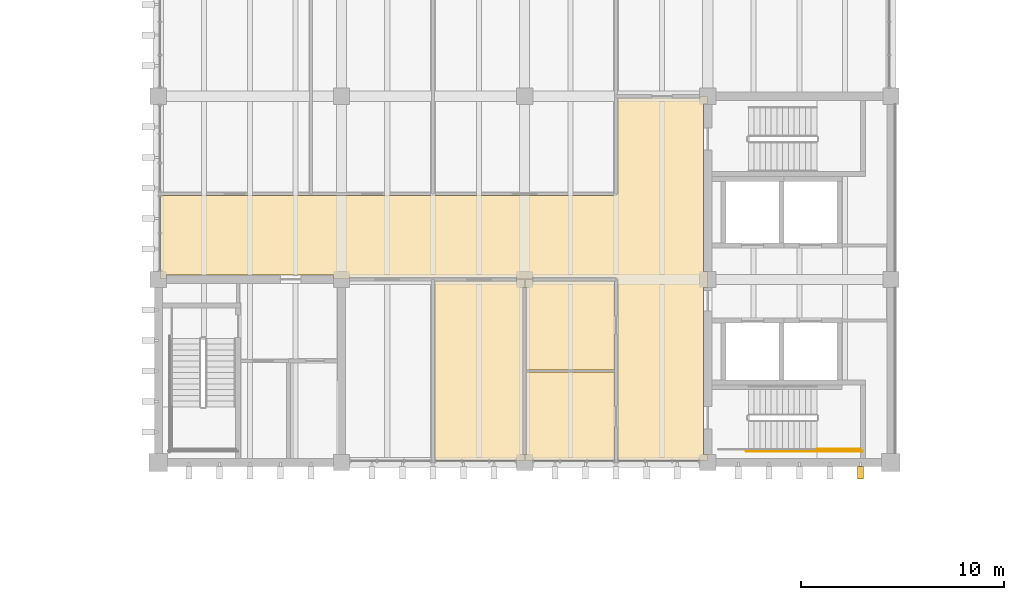
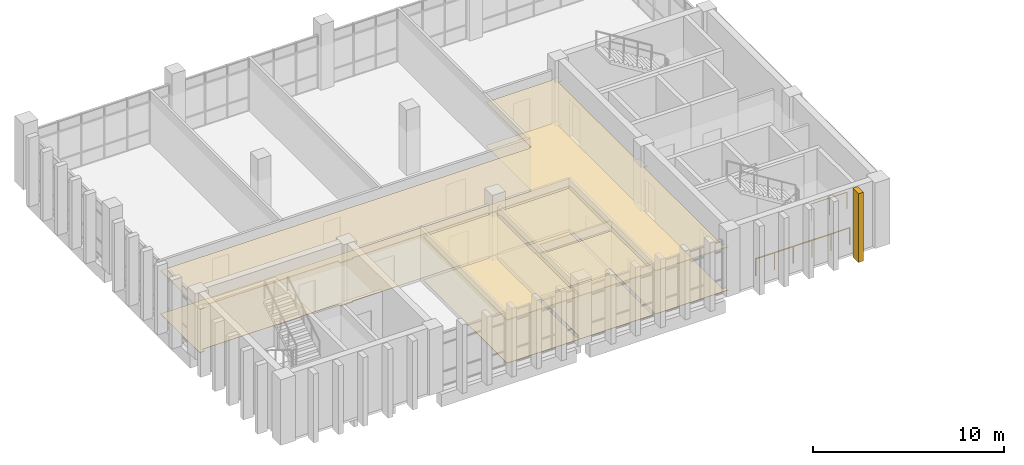
# One storey, part 27 of 29: 8 coverings, 2 railings, 1 shading device.
"""IFC4 building model written with IfcOpenShell, lengths in metres."""

from ifc_helpers import new_model, si_unit, direction, frame, origin, origin_2d, place, context, subcontext, project, spatial, polyline, circle, outline, extrude, source, transform, mapped, material, layer, layer_set, type_object, element, save


model = new_model("IFC4")

# Units and contexts
model_context = context("Model", 3, precision=1e-05, world=origin(), true_north=direction((0.0, 1.0)))
body_context = subcontext(model_context, "Body", "Model", "MODEL_VIEW")
ifc_project = project(units=[si_unit("LENGTHUNIT", "METRE"), si_unit("AREAUNIT", "SQUARE_METRE"), si_unit("VOLUMEUNIT", "CUBIC_METRE"), si_unit("PLANEANGLEUNIT", "RADIAN"), si_unit("MASSUNIT", "GRAM", prefix="KILO")], contexts=[model_context])

# Site, building, storey
site_placement = place(None, origin())
site = spatial("IfcSite", under=ifc_project, at=site_placement, CompositionType="ELEMENT")
building_placement = place(site_placement, origin())
building = spatial("IfcBuilding", under=site, at=building_placement, Name="Merrow Basin Faculty of Sciences", CompositionType="ELEMENT")
storey_placement = place(building_placement, frame((0.0, 0.0, 22.5)))
storey = spatial("IfcBuildingStorey", under=building, at=storey_placement, Name="L05", CompositionType="ELEMENT", Elevation=22.5)

# Coverings
ifc_material_1 = material(Name="Ceramic floor tile")
ifc_layer_1 = layer(ifc_material_1, 0.02001953125)
ifc_layer_set_1 = layer_set([ifc_layer_1], Name="Ceramic floor tile")
covering_type_1 = type_object("IfcCoveringType", Name="Ceramic floor tile", PredefinedType="FLOORING", material=ifc_layer_set_1)
covering_1_placement = place(storey_placement, origin())
element("IfcCovering", 1, at=covering_1_placement, inside=storey, type_object=covering_type_1, Name="Floor finish L05-T-012", PredefinedType="FLOORING", context=body_context, shape_type="SweptSolid", body=[
    extrude(outline(polyline([(36.010009765625, 142.110107421875), (36.010009765625, 142.389892578125), (36.0849609375, 142.389892578125), (36.0849609375, 146.43994140625), (40.4150390625, 146.43994140625), (40.4150390625, 142.110107421875), (36.010009765625, 142.110107421875)])), origin(), (0.0, 0.0, 1.0), 0.02001953125),
])
covering_2_placement = place(storey_placement, origin())
element("IfcCovering", 2, at=covering_2_placement, inside=storey, type_object=covering_type_1, Name="Floor finish L05-T-013", PredefinedType="FLOORING", context=body_context, shape_type="SweptSolid", body=[
    extrude(outline(polyline([(36.010009765625, 150.989990234375), (36.389892578125, 150.989990234375), (36.389892578125, 150.9150390625), (40.4150390625, 150.9150390625), (40.4150390625, 146.56005859375), (36.0849609375, 146.56005859375), (36.0849609375, 150.610107421875), (36.010009765625, 150.610107421875), (36.010009765625, 150.989990234375)])), origin(), (0.0, 0.0, 1.0), 0.02001953125),
])
ifc_material_2 = material(Name="Laboratory sheet vinyl floor")
ifc_layer_2 = layer(ifc_material_2, 0.02001953125)
ifc_layer_set_2 = layer_set([ifc_layer_2], Name="Laboratory sheet vinyl floor")
covering_type_2 = type_object("IfcCoveringType", Name="Laboratory sheet vinyl floor", PredefinedType="FLOORING", material=ifc_layer_set_2)
covering_3_placement = place(storey_placement, origin())
element("IfcCovering", 3, at=covering_3_placement, inside=storey, type_object=covering_type_2, Name="Floor finish L05-T-018", PredefinedType="FLOORING", context=body_context, shape_type="SweptSolid", body=[
    extrude(outline(polyline([(35.989990234375, 150.989990234375), (35.989990234375, 150.610107421875), (35.9150390625, 150.610107421875), (35.9150390625, 142.389892578125), (35.989990234375, 142.389892578125), (35.989990234375, 142.110107421875), (31.5849609375, 142.110107421875), (31.5849609375, 150.9150390625), (35.610107421875, 150.9150390625), (35.610107421875, 150.989990234375), (35.989990234375, 150.989990234375)])), origin(), (0.0, 0.0, 1.0), 0.02001953125),
])
ifc_material_3 = material(Name="Polished terrazzo floor")
ifc_layer_3 = layer(ifc_material_3, 0.02001953125)
ifc_layer_set_3 = layer_set([ifc_layer_3], Name="Polished terrazzo floor")
covering_type_3 = type_object("IfcCoveringType", Name="Polished terrazzo floor", PredefinedType="FLOORING", material=ifc_layer_set_3)
covering_4_placement = place(storey_placement, origin())
element("IfcCovering", 4, at=covering_4_placement, inside=storey, type_object=covering_type_3, Name="Floor finish L05-T-020", PredefinedType="FLOORING", context=body_context, shape_type="SweptSolid", body=[
    extrude(outline(polyline([(44.989990234375, 159.610107421875), (44.7900390625, 159.610107421875), (44.7900390625, 151.389892578125), (44.989990234375, 151.389892578125), (44.989990234375, 150.610107421875), (44.7900390625, 150.610107421875), (44.7900390625, 142.389892578125), (44.989990234375, 142.389892578125), (44.989990234375, 142.110107421875), (40.5849609375, 142.110107421875), (40.5849609375, 151.010009765625), (40.510009765625, 151.010009765625), (40.510009765625, 151.0849609375), (36.389892578125, 151.0849609375), (36.389892578125, 151.010009765625), (35.610107421875, 151.010009765625), (35.610107421875, 151.0849609375), (27.389892578125, 151.0849609375), (27.389892578125, 151.010009765625), (26.610107421875, 151.010009765625), (26.610107421875, 151.2099609375), (18.389892578125, 151.2099609375), (18.389892578125, 151.010009765625), (18.110107421875, 151.010009765625), (18.110107421875, 155.114990234375), (40.510009765625, 155.114990234375), (40.510009765625, 155.18994140625), (40.5849609375, 155.18994140625), (40.5849609375, 159.9150390625), (44.610107421875, 159.9150390625), (44.610107421875, 159.989990234375), (44.989990234375, 159.989990234375), (44.989990234375, 159.610107421875)])), origin(), (0.0, 0.0, 1.0), 0.02001953125),
])

# Railings
ifc_material_4 = material(Name="Steel ASTM A36", Category="steel")
railing_type = type_object("IfcRailingType", Name="Steel guard 1100", PredefinedType="GUARDRAIL", material=ifc_material_4)
railing_1_placement = place(storey_placement, frame((50.360107421875, 142.64990234375, 2.25)))
element("IfcRailing", 5, at=railing_1_placement, inside=storey, type_object=railing_type, Name="L05 ST-V5-N stair guard 3", PredefinedType="GUARDRAIL", context=body_context, shape_type="SweptSolid", body=[
    extrude(circle(Radius=0.02392578125, at=origin_2d()), frame((0.0, 0.0, 1.076171875), z_axis=(1.0, 0.0, 0.0), x_axis=(0.0, 1.0, 0.0)), (0.0, 0.0, 1.0), 2.139892578125),
    extrude(circle(Radius=0.02099609375, at=origin_2d()), origin(), (0.0, 0.0, 1.0), 1.052001953125),
    extrude(circle(Radius=0.02099609375, at=origin_2d()), frame((1.06982421875, 0.0, 0.0)), (0.0, 0.0, 1.0), 1.052001953125),
    extrude(circle(Radius=0.02099609375, at=origin_2d()), frame((2.139892578125, 0.0, 0.0)), (0.0, 0.0, 1.0), 1.052001953125),
])
railing_2_placement = place(storey_placement, frame((46.89990234375, 142.550048828125, 0.0)))
element("IfcRailing", 6, at=railing_2_placement, inside=storey, type_object=railing_type, Name="L05 ST-V5-N stair guard 7", PredefinedType="GUARDRAIL", context=body_context, shape_type="SweptSolid", body=[
    extrude(circle(Radius=0.02392578125, at=origin_2d()), frame((0.0, 0.0, 1.076171875), z_axis=(1.0, 0.0, 0.0), x_axis=(0.0, 1.0, 0.0)), (0.0, 0.0, 1.0), 5.7001953125),
    extrude(circle(Radius=0.02099609375, at=origin_2d()), origin(), (0.0, 0.0, 1.0), 1.052001953125),
    extrude(circle(Radius=0.02099609375, at=origin_2d()), frame((1.14013671875, 0.0, 0.0)), (0.0, 0.0, 1.0), 1.052001953125),
    extrude(circle(Radius=0.02099609375, at=origin_2d()), frame((2.280029296875, 0.0, 0.0)), (0.0, 0.0, 1.0), 1.052001953125),
    extrude(circle(Radius=0.02099609375, at=origin_2d()), frame((3.420166015625, 0.0, 0.0)), (0.0, 0.0, 1.0), 1.052001953125),
    extrude(circle(Radius=0.02099609375, at=origin_2d()), frame((4.56005859375, 0.0, 0.0)), (0.0, 0.0, 1.0), 1.052001953125),
    extrude(circle(Radius=0.02099609375, at=origin_2d()), frame((5.7001953125, 0.0, 0.0)), (0.0, 0.0, 1.0), 1.052001953125),
])

# Coverings
ifc_material_5 = material(Name="Mineral fibre ceiling tile")
ifc_layer_4 = layer(ifc_material_5, 0.050048828125)
ifc_layer_set_4 = layer_set([ifc_layer_4], Name="Suspended acoustic ceiling tile")
covering_type_4 = type_object("IfcCoveringType", Name="Suspended acoustic ceiling tile", PredefinedType="CEILING", material=ifc_layer_set_4)
covering_5_placement = place(storey_placement, frame((0.0, 0.0, 2.75)))
element("IfcCovering", 7, at=covering_5_placement, inside=storey, type_object=covering_type_4, Name="Ceiling L05-T-012", PredefinedType="CEILING", context=body_context, shape_type="SweptSolid", body=[
    extrude(outline(polyline([(36.010009765625, 142.110107421875), (36.010009765625, 142.389892578125), (36.0849609375, 142.389892578125), (36.0849609375, 146.43994140625), (40.4150390625, 146.43994140625), (40.4150390625, 142.110107421875), (36.010009765625, 142.110107421875)])), origin(), (0.0, 0.0, 1.0), 0.050048828125),
])
covering_6_placement = place(storey_placement, frame((0.0, 0.0, 2.75)))
element("IfcCovering", 8, at=covering_6_placement, inside=storey, type_object=covering_type_4, Name="Ceiling L05-T-013", PredefinedType="CEILING", context=body_context, shape_type="SweptSolid", body=[
    extrude(outline(polyline([(36.010009765625, 150.989990234375), (36.389892578125, 150.989990234375), (36.389892578125, 150.9150390625), (40.4150390625, 150.9150390625), (40.4150390625, 146.56005859375), (36.0849609375, 146.56005859375), (36.0849609375, 150.610107421875), (36.010009765625, 150.610107421875), (36.010009765625, 150.989990234375)])), origin(), (0.0, 0.0, 1.0), 0.050048828125),
])
covering_7_placement = place(storey_placement, frame((0.0, 0.0, 2.75)))
element("IfcCovering", 9, at=covering_7_placement, inside=storey, type_object=covering_type_4, Name="Ceiling L05-T-018", PredefinedType="CEILING", context=body_context, shape_type="SweptSolid", body=[
    extrude(outline(polyline([(35.989990234375, 150.989990234375), (35.989990234375, 150.610107421875), (35.9150390625, 150.610107421875), (35.9150390625, 142.389892578125), (35.989990234375, 142.389892578125), (35.989990234375, 142.110107421875), (31.5849609375, 142.110107421875), (31.5849609375, 150.9150390625), (35.610107421875, 150.9150390625), (35.610107421875, 150.989990234375), (35.989990234375, 150.989990234375)])), origin(), (0.0, 0.0, 1.0), 0.050048828125),
])
covering_8_placement = place(storey_placement, frame((0.0, 0.0, 2.75)))
element("IfcCovering", 10, at=covering_8_placement, inside=storey, type_object=covering_type_4, Name="Ceiling L05-T-020", PredefinedType="CEILING", context=body_context, shape_type="SweptSolid", body=[
    extrude(outline(polyline([(44.989990234375, 159.610107421875), (44.7900390625, 159.610107421875), (44.7900390625, 151.389892578125), (44.989990234375, 151.389892578125), (44.989990234375, 150.610107421875), (44.7900390625, 150.610107421875), (44.7900390625, 142.389892578125), (44.989990234375, 142.389892578125), (44.989990234375, 142.110107421875), (40.5849609375, 142.110107421875), (40.5849609375, 151.010009765625), (40.510009765625, 151.010009765625), (40.510009765625, 151.0849609375), (36.389892578125, 151.0849609375), (36.389892578125, 151.010009765625), (35.610107421875, 151.010009765625), (35.610107421875, 151.0849609375), (27.389892578125, 151.0849609375), (27.389892578125, 151.010009765625), (26.610107421875, 151.010009765625), (26.610107421875, 151.2099609375), (18.389892578125, 151.2099609375), (18.389892578125, 151.010009765625), (18.110107421875, 151.010009765625), (18.110107421875, 155.114990234375), (40.510009765625, 155.114990234375), (40.510009765625, 155.18994140625), (40.5849609375, 155.18994140625), (40.5849609375, 159.9150390625), (44.610107421875, 159.9150390625), (44.610107421875, 159.989990234375), (44.989990234375, 159.989990234375), (44.989990234375, 159.610107421875)])), origin(), (0.0, 0.0, 1.0), 0.050048828125),
])

# Shading device
ifc_material_6 = material(Name="White precast concrete C50/60", Category="concrete")
shading_device_type = type_object("IfcShadingDeviceType", Name="White precast fin 300 x 600", PredefinedType="USERDEFINED", material=ifc_material_6)
shared_shape = source(origin(), body_context, "Body", "SweptSolid", [
    extrude(outline(polyline([(0.0, 0.0), (0.300048828125, 0.0), (0.300048828125, 4.39990234375), (0.0, 4.39990234375), (0.0, 0.0)])), origin(), (0.0, 0.0, 1.0), 0.60009765625),
])
shading_device_placement = place(storey_placement, frame((52.35009765625, 141.800048828125, -0.25), z_axis=(0.0, -1.0, 0.0), x_axis=(1.0, 0.0, 0.0)))
element("IfcShadingDevice", 11, at=shading_device_placement, inside=storey, type_object=shading_device_type, Name="Brise-soleil fin SL05", ObjectType="FIN", PredefinedType="USERDEFINED", context=body_context, shape_type="MappedRepresentation", body=[
    mapped(shared_shape, transform((0.0, 0.0, 0.0), scale=1.0)),
])

save(model, "model.ifc")
